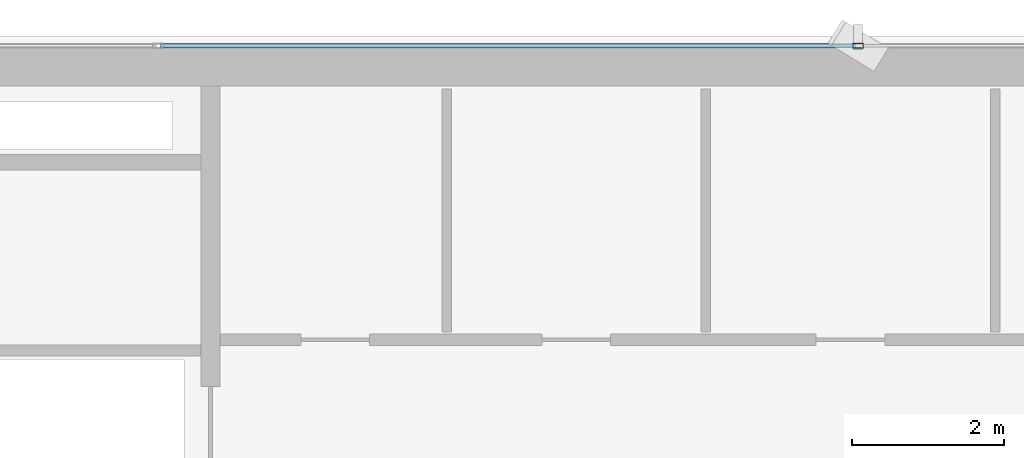
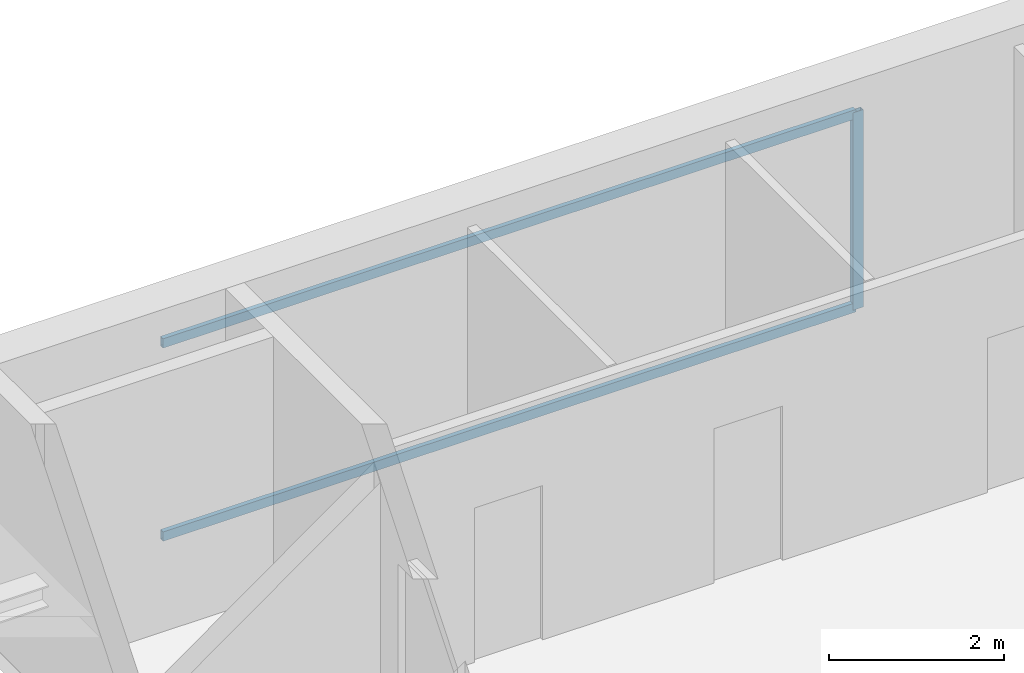
# One storey, part 16 of 25: 3 members, 1 element without a shape of its own.
"""IFC4 building model written with IfcOpenShell, lengths in metres."""

from ifc_helpers import new_model, si_unit, direction, frame, origin, origin_2d, place, context, subcontext, project, spatial, hollow_rectangle, extrude, source, transform, mapped, material, layer, layer_set, material_profile, profile_set, type_object, element, aggregate, save


model = new_model("IFC4")

# Units and contexts
model_context = context("Model", 3, precision=1e-05, world=origin(), true_north=direction((0.0, 1.0)))
body_context = subcontext(model_context, "Body", "Model", "MODEL_VIEW")
ifc_project = project(units=[si_unit("LENGTHUNIT", "METRE"), si_unit("AREAUNIT", "SQUARE_METRE"), si_unit("VOLUMEUNIT", "CUBIC_METRE"), si_unit("PLANEANGLEUNIT", "RADIAN"), si_unit("MASSUNIT", "GRAM", prefix="KILO")], contexts=[model_context])

# Site, building, storey
site_placement = place(None, origin())
site = spatial("IfcSite", under=ifc_project, at=site_placement, CompositionType="ELEMENT")
building_placement = place(site_placement, origin())
building = spatial("IfcBuilding", under=site, at=building_placement, Name="Sumidabori Civic Tower", CompositionType="ELEMENT")
storey_placement = place(building_placement, frame((0.0, 0.0, 232.39990234375)))
storey = spatial("IfcBuildingStorey", under=building, at=storey_placement, Name="L60", CompositionType="ELEMENT", Elevation=232.39990234375)

# Curtain wall, members
ifc_material = material(Name="Anodised Bronze Aluminium AW-6063-T6", Category="aluminium")
ifc_layer = layer(ifc_material, 0.179931640625, Name="Anodised Bronze Aluminium AW-6063-T6")
ifc_layer_set = layer_set([ifc_layer], Name="Anodised Bronze Aluminium AW-6063-T6")
curtain_wall_type = type_object("IfcCurtainWallType", Name="CW-SYS-5", PredefinedType="NOTDEFINED", material=ifc_layer_set)
curtain_wall_placement = place(storey_placement, origin())
curtain_wall = element("IfcCurtainWall", 1, at=curtain_wall_placement, inside=storey, type_object=curtain_wall_type, Name="Curtain Wall CW:L60:R07", PredefinedType="NOTDEFINED")
ifc_material_profile_1 = material_profile(ifc_material, hollow_rectangle(XDim=0.06005859375, YDim=0.1298828125, WallThickness=0.0048828125, at=origin_2d()), Name="ALU TRANSOM 130x60")
ifc_profile_set_1 = profile_set([ifc_material_profile_1], Name="Anodised Bronze Aluminium AW-6063-T6")
member_type_1 = type_object("IfcMemberType", Name="CW-TRN-130", PredefinedType="USERDEFINED", material=ifc_profile_set_1)
shared_shape_1 = source(origin(), body_context, "Body", "SweptSolid", [
    extrude(hollow_rectangle(XDim=0.06005859375, YDim=0.1298828125, WallThickness=0.0048828125, at=origin_2d()), origin(), (0.0, 0.0, 1.0), 9.125),
])
member_1_placement = place(storey_placement, frame((-0.030029296875, 24.080078125, 0.030029296875), z_axis=(-1.0, 0.0, 0.0), x_axis=(0.0, -1.0, 0.0)))
member_1 = element("IfcMember", 2, at=member_1_placement, type_object=member_type_1, Name="CW-5 transom 3.1", ObjectType="TRANSOM", PredefinedType="USERDEFINED", context=body_context, shape_type="MappedRepresentation", body=[
    mapped(shared_shape_1, transform((0.0, 0.0, 0.0), x_axis=(1.0, 0.0, 0.0), y_axis=(0.0, 1.0, 0.0), z_axis=(0.0, 0.0, 1.0), scale=1.0)),
])
member_2_placement = place(storey_placement, frame((-0.030029296875, 24.080078125, 2.72021484375), z_axis=(-1.0, 0.0, 0.0), x_axis=(0.0, -1.0, 0.0)))
member_2 = element("IfcMember", 3, at=member_2_placement, type_object=member_type_1, Name="CW-5 transom 3.2", ObjectType="TRANSOM", PredefinedType="USERDEFINED", context=body_context, shape_type="MappedRepresentation", body=[
    mapped(shared_shape_1, transform((0.0, 0.0, 0.0), x_axis=(1.0, 0.0, 0.0), y_axis=(0.0, 1.0, 0.0), z_axis=(0.0, 0.0, 1.0), scale=1.0)),
])
ifc_material_profile_2 = material_profile(ifc_material, hollow_rectangle(XDim=0.06005859375, YDim=0.139892578125, WallThickness=0.0048828125, at=origin_2d()), Name="ALU MULLION 140x60")
ifc_profile_set_2 = profile_set([ifc_material_profile_2], Name="Anodised Bronze Aluminium AW-6063-T6")
member_type_2 = type_object("IfcMemberType", Name="CW-MUL-140", PredefinedType="MULLION", material=ifc_profile_set_2)
shared_shape_2 = source(origin(), body_context, "Body", "SweptSolid", [
    extrude(hollow_rectangle(XDim=0.06005859375, YDim=0.139892578125, WallThickness=0.0048828125, at=origin_2d()), origin(), (0.0, 0.0, 1.0), 2.75),
])
member_3_placement = place(storey_placement, frame((0.0, 24.080078125, 0.0), z_axis=(0.0, 0.0, 1.0), x_axis=(0.0, -1.0, 0.0)))
member_3 = element("IfcMember", 4, at=member_3_placement, type_object=member_type_2, Name="CW-5 mullion 3", PredefinedType="MULLION", context=body_context, shape_type="MappedRepresentation", body=[
    mapped(shared_shape_2, transform((0.0, 0.0, 0.0), x_axis=(1.0, 0.0, 0.0), y_axis=(0.0, 1.0, 0.0), z_axis=(0.0, 0.0, 1.0), scale=1.0)),
])
aggregate(curtain_wall, [member_3, member_1, member_2])

save(model, "model.ifc")
